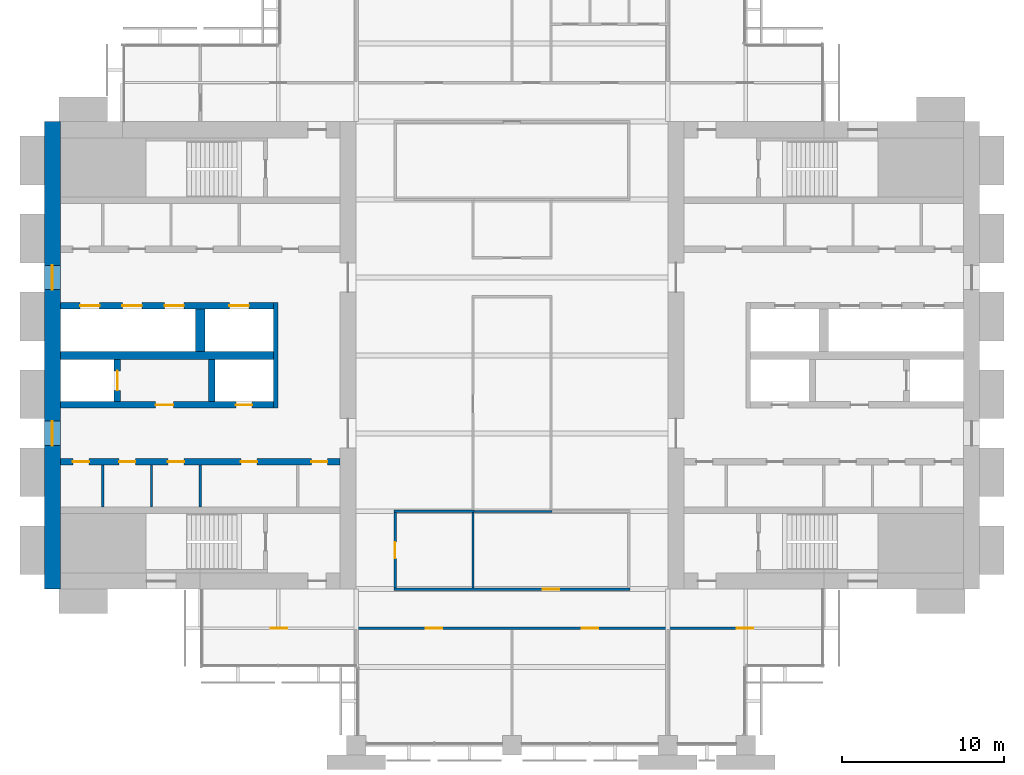
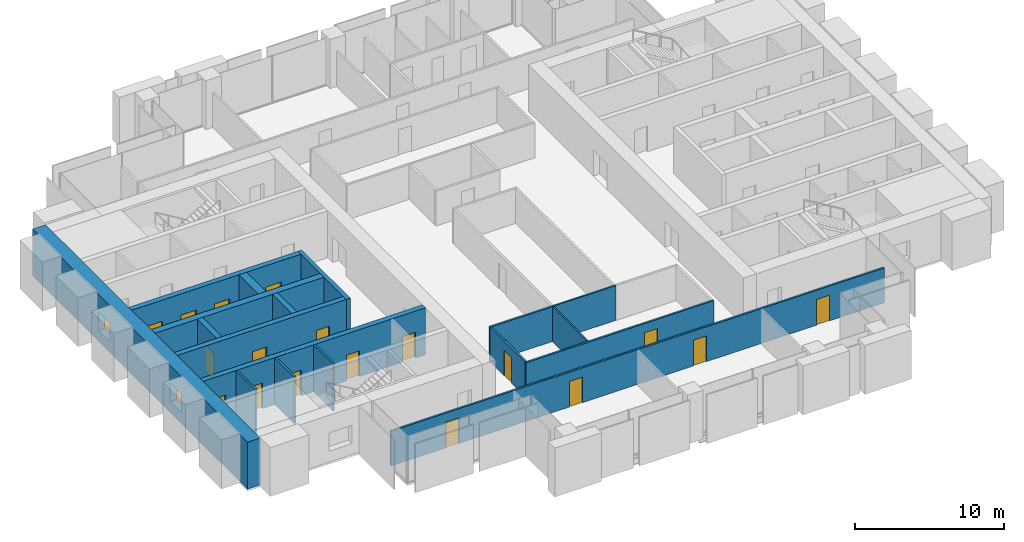
# One storey, part 9 of 14: 18 doors, 18 walls, 2 windows, 20 openings.
"""IFC4 building model written with IfcOpenShell, lengths in metres."""

from ifc_helpers import new_model, si_unit, direction, frame, frame_2d, origin, place, context, subcontext, project, spatial, rectangle, extrude, material, layer, layer_set, type_object, element, fill, save


model = new_model("IFC4")

# Units and contexts
model_context = context("Model", 3, precision=1e-05, world=origin(), true_north=direction((0.0, 1.0)))
body_context = subcontext(model_context, "Body", "Model", "MODEL_VIEW")
ifc_project = project(units=[si_unit("LENGTHUNIT", "METRE"), si_unit("AREAUNIT", "SQUARE_METRE"), si_unit("VOLUMEUNIT", "CUBIC_METRE"), si_unit("PLANEANGLEUNIT", "RADIAN"), si_unit("MASSUNIT", "GRAM", prefix="KILO")], contexts=[model_context])

# Site, building, storey
site_placement = place(None, origin())
site = spatial("IfcSite", under=ifc_project, at=site_placement, CompositionType="ELEMENT")
building_placement = place(site_placement, origin())
building = spatial("IfcBuilding", under=site, at=building_placement, Name="Baori Bourse Tower", CompositionType="ELEMENT")
storey_placement = place(building_placement, frame((0.0, 0.0, 160.10009765625)))
storey = spatial("IfcBuildingStorey", under=building, at=storey_placement, Name="L35", CompositionType="ELEMENT", Elevation=160.10009765625)

# Walls
ifc_material_1 = material(Name="Blockwork partition", Category="masonry")
ifc_layer_1 = layer(ifc_material_1, 0.14990234375)
ifc_layer_set_1 = layer_set([ifc_layer_1], Name="Core partition 150")
wall_type_1 = type_object("IfcWallType", Name="Core partition 150", PredefinedType="PARTITIONING", material=ifc_layer_set_1)
for number, where, z_axis, x_axis, name in (
    (1, (3.60009765625, 14.64990234375, 0.0), (0.0, 0.0, 1.0), (0.0, 1.0, 0.0), "Partition wall W10"),
    (2, (6.60009765625, 14.64990234375, 0.0), (0.0, 0.0, 1.0), (0.0, 1.0, 0.0), "Partition wall W11"),
    (3, (9.60009765625, 14.64990234375, 0.0), (0.0, 0.0, 1.0), (0.0, 1.0, 0.0), "Partition wall W12"),
):
    element("IfcWall", number, at=place(storey_placement, frame(where, z_axis=z_axis, x_axis=x_axis)), inside=storey, type_object=wall_type_1, Name=name, PredefinedType="PARTITIONING", context=body_context, shape_type="SweptSolid", body=[
        extrude(rectangle(XDim=2.60009765625, YDim=0.14990234375, at=frame_2d((1.300048828125, 0.0))), origin(), (0.0, 0.0, 1.0), 3.83984375),
    ])

# Wall, openings, windows
ifc_material_2 = material(Name="Concrete f'c 60 MPa", Category="concrete")
ifc_layer_2 = layer(ifc_material_2, 1.0)
ifc_layer_set_2 = layer_set([ifc_layer_2], Name="Core wall 1000 f'c 60")
wall_type_2 = type_object("IfcWallType", Name="Core wall 1000 f'c 60", PredefinedType="SHEAR", material=ifc_layer_set_2)
wall_1_placement = place(storey_placement, frame((0.5, 9.60009765625, 0.0), z_axis=(0.0, 0.0, 1.0), x_axis=(0.0, 1.0, 0.0)))
wall_1 = element("IfcWall", 4, at=wall_1_placement, inside=storey, type_object=wall_type_2, Name="Core wall W01", PredefinedType="SHEAR", context=body_context, shape_type="SweptSolid", body=[
    extrude(rectangle(XDim=28.7998046875, YDim=1.0, at=frame_2d((14.39990234375, 0.0))), origin(), (0.0, 0.0, 1.0), 3.83984375),
])
opening_1_placement = place(wall_1_placement, frame((8.85009765625, 0.0, 0.89990234375)))
opening_1 = element("IfcOpeningElement", 5, at=opening_1_placement, cuts=wall_1, Name="Opening L35-KW101", PredefinedType="OPENING", context=body_context, shape_type="SweptSolid", body=[
    extrude(rectangle(XDim=1.5, YDim=1.5, at=frame_2d((0.75, 0.75))), frame((0.0, 0.510009765625, 0.0), z_axis=(0.0, -1.0, 0.0), x_axis=(1.0, 0.0, 0.0)), (0.0, 0.0, 1.0), 1.02001953125),
])
opening_2_placement = place(wall_1_placement, frame((18.449951171875, 0.0, 0.89990234375)))
opening_2 = element("IfcOpeningElement", 6, at=opening_2_placement, cuts=wall_1, Name="Opening L35-KW102", PredefinedType="OPENING", context=body_context, shape_type="SweptSolid", body=[
    extrude(rectangle(XDim=1.5, YDim=1.5, at=frame_2d((0.75, 0.75))), frame((0.0, 0.510009765625, 0.0), z_axis=(0.0, -1.0, 0.0), x_axis=(1.0, 0.0, 0.0)), (0.0, 0.0, 1.0), 1.02001953125),
])
ifc_material_3 = material(Name="Pale anodised aluminium", Category="aluminium")
window_type = type_object("IfcWindowType", Name="Lobby window 1500 x 1500", PartitioningType="SINGLE_PANEL", PredefinedType="WINDOW", material=ifc_material_3)
window_1_placement = place(opening_1_placement, origin())
window_1 = element("IfcWindow", 7, at=window_1_placement, inside=storey, type_object=window_type, Name="Outer wall window W L35 1", OverallHeight=1.5, OverallWidth=1.5, PartitioningType="SINGLE_PANEL", PredefinedType="WINDOW", context=body_context, shape_type="SweptSolid", body=[
    extrude(rectangle(XDim=1.5, YDim=1.5, at=frame_2d((0.75, 0.75))), frame((0.0, 0.030029296875, 0.0), z_axis=(0.0, -1.0, 0.0), x_axis=(1.0, 0.0, 0.0)), (0.0, 0.0, 1.0), 0.06005859375),
])
fill(opening_1, window_1)
window_2_placement = place(opening_2_placement, origin())
window_2 = element("IfcWindow", 8, at=window_2_placement, inside=storey, type_object=window_type, Name="Outer wall window W L35 2", OverallHeight=1.5, OverallWidth=1.5, PartitioningType="SINGLE_PANEL", PredefinedType="WINDOW", context=body_context, shape_type="SweptSolid", body=[
    extrude(rectangle(XDim=1.5, YDim=1.5, at=frame_2d((0.75, 0.75))), frame((0.0, 0.030029296875, 0.0), z_axis=(0.0, -1.0, 0.0), x_axis=(1.0, 0.0, 0.0)), (0.0, 0.0, 1.0), 0.06005859375),
])
fill(opening_2, window_2)

# Wall, openings, doors
ifc_material_4 = material(Name="Gypsum board partition")
ifc_layer_3 = layer(ifc_material_4, 0.14990234375)
ifc_layer_set_3 = layer_set([ifc_layer_3], Name="Corridor partition 150")
wall_type_3 = type_object("IfcWallType", Name="Corridor partition 150", PredefinedType="PARTITIONING", material=ifc_layer_set_3)
wall_2_placement = place(storey_placement, frame((9.699951171875, 7.199951171875, 0.0), z_axis=(0.0, 0.0, 1.0), x_axis=(1.0, 0.0, 0.0)))
wall_2 = element("IfcWall", 9, at=wall_2_placement, inside=storey, type_object=wall_type_3, Name="Partition", PredefinedType="PARTITIONING", context=body_context, shape_type="SweptSolid", body=[
    extrude(rectangle(XDim=38.199951171875, YDim=0.14990234375, at=frame_2d((19.10009765625, 0.0))), origin(), (0.0, 0.0, 1.0), 2.849365234375),
])
opening_3_placement = place(wall_2_placement, frame((4.25, 0.0, 0.0)))
opening_3 = element("IfcOpeningElement", 10, at=opening_3_placement, cuts=wall_2, Name="Opening L35-D01", PredefinedType="OPENING", context=body_context, shape_type="SweptSolid", body=[
    extrude(rectangle(XDim=1.0, YDim=2.10009765625, at=frame_2d((0.5, 1.050048828125))), frame((0.0, 0.0849609375, 0.0), z_axis=(0.0, -1.0, 0.0), x_axis=(1.0, 0.0, 0.0)), (0.0, 0.0, 1.0), 0.169921875),
])
opening_4_placement = place(wall_2_placement, frame((13.800048828125, 0.0, 0.0)))
opening_4 = element("IfcOpeningElement", 11, at=opening_4_placement, cuts=wall_2, Name="Opening L35-D02", PredefinedType="OPENING", context=body_context, shape_type="SweptSolid", body=[
    extrude(rectangle(XDim=1.0, YDim=2.10009765625, at=frame_2d((0.5, 1.050048828125))), frame((0.0, 0.0849609375, 0.0), z_axis=(0.0, -1.0, 0.0), x_axis=(1.0, 0.0, 0.0)), (0.0, 0.0, 1.0), 0.169921875),
])
opening_5_placement = place(wall_2_placement, frame((23.39990234375, 0.0, 0.0)))
opening_5 = element("IfcOpeningElement", 12, at=opening_5_placement, cuts=wall_2, Name="Opening L35-D03", PredefinedType="OPENING", context=body_context, shape_type="SweptSolid", body=[
    extrude(rectangle(XDim=1.0, YDim=2.10009765625, at=frame_2d((0.5, 1.050048828125))), frame((0.0, 0.0849609375, 0.0), z_axis=(0.0, -1.0, 0.0), x_axis=(1.0, 0.0, 0.0)), (0.0, 0.0, 1.0), 0.169921875),
])
opening_6_placement = place(wall_2_placement, frame((32.949951171875, 0.0, 0.0)))
opening_6 = element("IfcOpeningElement", 13, at=opening_6_placement, cuts=wall_2, Name="Opening L35-D04", PredefinedType="OPENING", context=body_context, shape_type="SweptSolid", body=[
    extrude(rectangle(XDim=1.0, YDim=2.10009765625, at=frame_2d((0.5, 1.050048828125))), frame((0.0, 0.0849609375, 0.0), z_axis=(0.0, -1.0, 0.0), x_axis=(1.0, 0.0, 0.0)), (0.0, 0.0, 1.0), 0.169921875),
])
ifc_material_5 = material(Name="Timber door leaf", Category="wood")
door_type_1 = type_object("IfcDoorType", Name="Door 1000 x 2100", OperationType="SINGLE_SWING_LEFT", PredefinedType="DOOR", material=ifc_material_5)
door_1_placement = place(opening_3_placement, origin())
door_1 = element("IfcDoor", 14, at=door_1_placement, inside=storey, type_object=door_type_1, Name="Door", OperationType="SINGLE_SWING_LEFT", OverallHeight=2.10009765625, OverallWidth=1.0, PredefinedType="DOOR", context=body_context, shape_type="SweptSolid", body=[
    extrude(rectangle(XDim=1.0, YDim=2.10009765625, at=frame_2d((0.5, 1.050048828125))), frame((0.0, 0.02490234375, 0.0), z_axis=(0.0, -1.0, 0.0), x_axis=(1.0, 0.0, 0.0)), (0.0, 0.0, 1.0), 0.050048828125),
])
fill(opening_3, door_1)
door_2_placement = place(opening_4_placement, origin())
door_2 = element("IfcDoor", 15, at=door_2_placement, inside=storey, type_object=door_type_1, Name="Door", OperationType="SINGLE_SWING_LEFT", OverallHeight=2.10009765625, OverallWidth=1.0, PredefinedType="DOOR", context=body_context, shape_type="SweptSolid", body=[
    extrude(rectangle(XDim=1.0, YDim=2.10009765625, at=frame_2d((0.5, 1.050048828125))), frame((0.0, 0.02490234375, 0.0), z_axis=(0.0, -1.0, 0.0), x_axis=(1.0, 0.0, 0.0)), (0.0, 0.0, 1.0), 0.050048828125),
])
fill(opening_4, door_2)
door_3_placement = place(opening_5_placement, origin())
door_3 = element("IfcDoor", 16, at=door_3_placement, inside=storey, type_object=door_type_1, Name="Door", OperationType="SINGLE_SWING_RIGHT", OverallHeight=2.10009765625, OverallWidth=1.0, PredefinedType="DOOR", context=body_context, shape_type="SweptSolid", body=[
    extrude(rectangle(XDim=1.0, YDim=2.10009765625, at=frame_2d((0.5, 1.050048828125))), frame((0.0, 0.02490234375, 0.0), z_axis=(0.0, -1.0, 0.0), x_axis=(1.0, 0.0, 0.0)), (0.0, 0.0, 1.0), 0.050048828125),
])
fill(opening_5, door_3)
door_4_placement = place(opening_6_placement, origin())
door_4 = element("IfcDoor", 17, at=door_4_placement, inside=storey, type_object=door_type_1, Name="Door", OperationType="SINGLE_SWING_RIGHT", OverallHeight=2.10009765625, OverallWidth=1.0, PredefinedType="DOOR", context=body_context, shape_type="SweptSolid", body=[
    extrude(rectangle(XDim=1.0, YDim=2.10009765625, at=frame_2d((0.5, 1.050048828125))), frame((0.0, 0.02490234375, 0.0), z_axis=(0.0, -1.0, 0.0), x_axis=(1.0, 0.0, 0.0)), (0.0, 0.0, 1.0), 0.050048828125),
])
fill(opening_6, door_4)

# Wall, opening, door
wall_3_placement = place(storey_placement, frame((21.52490234375, 9.60009765625, 0.0), z_axis=(0.0, 0.0, 1.0), x_axis=(1.0, 0.0, 0.0)))
wall_3 = element("IfcWall", 18, at=wall_3_placement, inside=storey, type_object=wall_type_3, Name="Partition", PredefinedType="PARTITIONING", context=body_context, shape_type="SweptSolid", body=[
    extrude(rectangle(XDim=14.550048828125, YDim=0.14990234375, at=frame_2d((7.27490234375, 0.0))), origin(), (0.0, 0.0, 1.0), 2.849365234375),
])
opening_7_placement = place(wall_3_placement, frame((9.175048828125, 0.0, 0.0)))
opening_7 = element("IfcOpeningElement", 19, at=opening_7_placement, cuts=wall_3, Name="Opening L35-D05", PredefinedType="OPENING", context=body_context, shape_type="SweptSolid", body=[
    extrude(rectangle(XDim=1.0, YDim=2.10009765625, at=frame_2d((0.5, 1.050048828125))), frame((0.0, 0.0849609375, 0.0), z_axis=(0.0, -1.0, 0.0), x_axis=(1.0, 0.0, 0.0)), (0.0, 0.0, 1.0), 0.169921875),
])
door_5_placement = place(opening_7_placement, origin())
door_5 = element("IfcDoor", 20, at=door_5_placement, inside=storey, type_object=door_type_1, Name="Door", OperationType="SINGLE_SWING_LEFT", OverallHeight=2.10009765625, OverallWidth=1.0, PredefinedType="DOOR", context=body_context, shape_type="SweptSolid", body=[
    extrude(rectangle(XDim=1.0, YDim=2.10009765625, at=frame_2d((0.5, 1.050048828125))), frame((0.0, 0.02490234375, 0.0), z_axis=(0.0, -1.0, 0.0), x_axis=(1.0, 0.0, 0.0)), (0.0, 0.0, 1.0), 0.050048828125),
])
fill(opening_7, door_5)

# Wall
wall_4_placement = place(storey_placement, frame((21.52490234375, 14.39990234375, 0.0), z_axis=(0.0, 0.0, 1.0), x_axis=(1.0, 0.0, 0.0)))
element("IfcWall", 21, at=wall_4_placement, inside=storey, type_object=wall_type_3, Name="Partition", PredefinedType="PARTITIONING", context=body_context, shape_type="SweptSolid", body=[
    extrude(rectangle(XDim=4.9501953125, YDim=0.14990234375, at=frame_2d((2.47509765625, 0.0))), origin(), (0.0, 0.0, 1.0), 2.849365234375),
])

# Wall, opening, door
wall_5_placement = place(storey_placement, frame((21.60009765625, 9.675048828125, 0.0), z_axis=(0.0, 0.0, 1.0), x_axis=(0.0, 1.0, 0.0)))
wall_5 = element("IfcWall", 22, at=wall_5_placement, inside=storey, type_object=wall_type_3, Name="Partition", PredefinedType="PARTITIONING", context=body_context, shape_type="SweptSolid", body=[
    extrude(rectangle(XDim=4.64990234375, YDim=0.14990234375, at=frame_2d((2.324951171875, 0.0))), origin(), (0.0, 0.0, 1.0), 2.849365234375),
])
opening_8_placement = place(wall_5_placement, frame((1.824951171875, 0.0, 0.0)))
opening_8 = element("IfcOpeningElement", 23, at=opening_8_placement, cuts=wall_5, Name="Opening L35-D17", PredefinedType="OPENING", context=body_context, shape_type="SweptSolid", body=[
    extrude(rectangle(XDim=1.0, YDim=2.10009765625, at=frame_2d((0.5, 1.050048828125))), frame((0.0, 0.0849609375, 0.0), z_axis=(0.0, -1.0, 0.0), x_axis=(1.0, 0.0, 0.0)), (0.0, 0.0, 1.0), 0.169921875),
])
door_6_placement = place(opening_8_placement, origin())
door_6 = element("IfcDoor", 24, at=door_6_placement, inside=storey, type_object=door_type_1, Name="Door", OperationType="SINGLE_SWING_LEFT", OverallHeight=2.10009765625, OverallWidth=1.0, PredefinedType="DOOR", context=body_context, shape_type="SweptSolid", body=[
    extrude(rectangle(XDim=1.0, YDim=2.10009765625, at=frame_2d((0.5, 1.050048828125))), frame((0.0, 0.02490234375, 0.0), z_axis=(0.0, -1.0, 0.0), x_axis=(1.0, 0.0, 0.0)), (0.0, 0.0, 1.0), 0.050048828125),
])
fill(opening_8, door_6)

# Walls
ifc_material_6 = material(Name="Gypsum board partition")
ifc_layer_4 = layer(ifc_material_6, 0.125)
ifc_layer_set_4 = layer_set([ifc_layer_4], Name="Partition 125")
wall_type_4 = type_object("IfcWallType", Name="Partition 125", PredefinedType="PARTITIONING", material=ifc_layer_set_4)
wall_6_placement = place(storey_placement, frame((26.47509765625, 14.39990234375, 0.0), z_axis=(0.0, 0.0, 1.0), x_axis=(1.0, 0.0, 0.0)))
element("IfcWall", 25, at=wall_6_placement, inside=storey, type_object=wall_type_4, Name="Partition", PredefinedType="PARTITIONING", context=body_context, shape_type="SweptSolid", body=[
    extrude(rectangle(XDim=4.7998046875, YDim=0.125, at=frame_2d((2.39990234375, 0.0))), origin(), (0.0, 0.0, 1.0), 2.849365234375),
])
wall_7_placement = place(storey_placement, frame((26.39990234375, 9.675048828125, 0.0), z_axis=(0.0, 0.0, 1.0), x_axis=(0.0, 1.0, 0.0)))
element("IfcWall", 26, at=wall_7_placement, inside=storey, type_object=wall_type_4, Name="Partition", PredefinedType="PARTITIONING", context=body_context, shape_type="SweptSolid", body=[
    extrude(rectangle(XDim=4.64990234375, YDim=0.125, at=frame_2d((2.324951171875, 0.0))), origin(), (0.0, 0.0, 1.0), 2.849365234375),
])
ifc_material_7 = material(Name="Concrete f'c 60 MPa", Category="concrete")
ifc_layer_5 = layer(ifc_material_7, 0.300048828125)
ifc_layer_set_5 = layer_set([ifc_layer_5], Name="Shaft wall 300 f'c 60")
wall_type_5 = type_object("IfcWallType", Name="Shaft wall 300 f'c 60", PredefinedType="SHEAR", material=ifc_layer_set_5)
wall_8_placement = place(storey_placement, frame((14.25, 20.75, 0.0), z_axis=(0.0, 0.0, 1.0), x_axis=(0.0, 1.0, 0.0)))
element("IfcWall", 27, at=wall_8_placement, inside=storey, type_object=wall_type_5, Name="Core wall W16", PredefinedType="SHEAR", context=body_context, shape_type="SweptSolid", body=[
    extrude(rectangle(XDim=6.5, YDim=0.300048828125, at=frame_2d((3.25, 0.0))), origin(), (0.0, 0.0, 1.0), 3.83984375),
])

# Wall, openings, doors
ifc_material_8 = material(Name="Concrete f'c 60 MPa", Category="concrete")
ifc_layer_6 = layer(ifc_material_8, 0.39990234375)
ifc_layer_set_6 = layer_set([ifc_layer_6], Name="Shaft wall 400 f'c 60")
wall_type_6 = type_object("IfcWallType", Name="Shaft wall 400 f'c 60", PredefinedType="SHEAR", material=ifc_layer_set_6)
wall_9_placement = place(storey_placement, frame((1.0, 17.449951171875, 0.0), z_axis=(0.0, 0.0, 1.0), x_axis=(1.0, 0.0, 0.0)))
wall_9 = element("IfcWall", 28, at=wall_9_placement, inside=storey, type_object=wall_type_6, Name="Core wall W14", PredefinedType="SHEAR", context=body_context, shape_type="SweptSolid", body=[
    extrude(rectangle(XDim=17.199951171875, YDim=0.39990234375, at=frame_2d((8.60009765625, 0.0))), origin(), (0.0, 0.0, 1.0), 3.83984375),
])
opening_9_placement = place(wall_9_placement, frame((0.762451171875, 0.0, 0.0)))
opening_9 = element("IfcOpeningElement", 29, at=opening_9_placement, cuts=wall_9, Name="Opening L35-D113", PredefinedType="OPENING", context=body_context, shape_type="SweptSolid", body=[
    extrude(rectangle(XDim=1.0, YDim=2.10009765625, at=frame_2d((0.5, 1.050048828125))), frame((0.0, 0.2099609375, 0.0), z_axis=(0.0, -1.0, 0.0), x_axis=(1.0, 0.0, 0.0)), (0.0, 0.0, 1.0), 0.419921875),
])
opening_10_placement = place(wall_9_placement, frame((3.60009765625, 0.0, 0.0)))
opening_10 = element("IfcOpeningElement", 30, at=opening_10_placement, cuts=wall_9, Name="Opening L35-D114", PredefinedType="OPENING", context=body_context, shape_type="SweptSolid", body=[
    extrude(rectangle(XDim=1.0, YDim=2.10009765625, at=frame_2d((0.5, 1.050048828125))), frame((0.0, 0.2099609375, 0.0), z_axis=(0.0, -1.0, 0.0), x_axis=(1.0, 0.0, 0.0)), (0.0, 0.0, 1.0), 0.419921875),
])
opening_11_placement = place(wall_9_placement, frame((6.60009765625, 0.0, 0.0)))
opening_11 = element("IfcOpeningElement", 31, at=opening_11_placement, cuts=wall_9, Name="Opening L35-D115", PredefinedType="OPENING", context=body_context, shape_type="SweptSolid", body=[
    extrude(rectangle(XDim=1.0, YDim=2.10009765625, at=frame_2d((0.5, 1.050048828125))), frame((0.0, 0.2099609375, 0.0), z_axis=(0.0, -1.0, 0.0), x_axis=(1.0, 0.0, 0.0)), (0.0, 0.0, 1.0), 0.419921875),
])
opening_12_placement = place(wall_9_placement, frame((11.10009765625, 0.0, 0.0)))
opening_12 = element("IfcOpeningElement", 32, at=opening_12_placement, cuts=wall_9, Name="Opening L35-D116", PredefinedType="OPENING", context=body_context, shape_type="SweptSolid", body=[
    extrude(rectangle(XDim=1.0, YDim=2.10009765625, at=frame_2d((0.5, 1.050048828125))), frame((0.0, 0.2099609375, 0.0), z_axis=(0.0, -1.0, 0.0), x_axis=(1.0, 0.0, 0.0)), (0.0, 0.0, 1.0), 0.419921875),
])
opening_13_placement = place(wall_9_placement, frame((15.4375, 0.0, 0.0)))
opening_13 = element("IfcOpeningElement", 33, at=opening_13_placement, cuts=wall_9, Name="Opening L35-D117", PredefinedType="OPENING", context=body_context, shape_type="SweptSolid", body=[
    extrude(rectangle(XDim=1.0, YDim=2.10009765625, at=frame_2d((0.5, 1.050048828125))), frame((0.0, 0.2099609375, 0.0), z_axis=(0.0, -1.0, 0.0), x_axis=(1.0, 0.0, 0.0)), (0.0, 0.0, 1.0), 0.419921875),
])
ifc_material_9 = material(Name="Painted steel door", Category="steel")
door_type_2 = type_object("IfcDoorType", Name="Core door 1000", OperationType="SINGLE_SWING_LEFT", PredefinedType="DOOR", material=ifc_material_9)
door_7_placement = place(opening_10_placement, origin())
door_7 = element("IfcDoor", 34, at=door_7_placement, inside=storey, type_object=door_type_2, Name="Women'S Wc door W L35", OperationType="SINGLE_SWING_LEFT", OverallHeight=2.10009765625, OverallWidth=1.0, PredefinedType="DOOR", context=body_context, shape_type="SweptSolid", body=[
    extrude(rectangle(XDim=1.0, YDim=2.10009765625, at=frame_2d((0.5, 1.050048828125))), frame((0.0, 0.02490234375, 0.0), z_axis=(0.0, -1.0, 0.0), x_axis=(1.0, 0.0, 0.0)), (0.0, 0.0, 1.0), 0.050048828125),
])
fill(opening_10, door_7)
door_8_placement = place(opening_11_placement, origin())
door_8 = element("IfcDoor", 35, at=door_8_placement, inside=storey, type_object=door_type_2, Name="Accessible Wc door W L35", OperationType="SINGLE_SWING_LEFT", OverallHeight=2.10009765625, OverallWidth=1.0, PredefinedType="DOOR", context=body_context, shape_type="SweptSolid", body=[
    extrude(rectangle(XDim=1.0, YDim=2.10009765625, at=frame_2d((0.5, 1.050048828125))), frame((0.0, 0.02490234375, 0.0), z_axis=(0.0, -1.0, 0.0), x_axis=(1.0, 0.0, 0.0)), (0.0, 0.0, 1.0), 0.050048828125),
])
fill(opening_11, door_8)
door_9_placement = place(opening_12_placement, origin())
door_9 = element("IfcDoor", 36, at=door_9_placement, inside=storey, type_object=door_type_2, Name="Men'S Wc door W L35", OperationType="SINGLE_SWING_LEFT", OverallHeight=2.10009765625, OverallWidth=1.0, PredefinedType="DOOR", context=body_context, shape_type="SweptSolid", body=[
    extrude(rectangle(XDim=1.0, YDim=2.10009765625, at=frame_2d((0.5, 1.050048828125))), frame((0.0, 0.02490234375, 0.0), z_axis=(0.0, -1.0, 0.0), x_axis=(1.0, 0.0, 0.0)), (0.0, 0.0, 1.0), 0.050048828125),
])
fill(opening_12, door_9)
door_10_placement = place(opening_13_placement, origin())
door_10 = element("IfcDoor", 37, at=door_10_placement, inside=storey, type_object=door_type_2, Name="Store Room door W L35", OperationType="SINGLE_SWING_LEFT", OverallHeight=2.10009765625, OverallWidth=1.0, PredefinedType="DOOR", context=body_context, shape_type="SweptSolid", body=[
    extrude(rectangle(XDim=1.0, YDim=2.10009765625, at=frame_2d((0.5, 1.050048828125))), frame((0.0, 0.02490234375, 0.0), z_axis=(0.0, -1.0, 0.0), x_axis=(1.0, 0.0, 0.0)), (0.0, 0.0, 1.0), 0.050048828125),
])
fill(opening_13, door_10)
ifc_material_10 = material(Name="Painted steel door", Category="steel")
door_type_3 = type_object("IfcDoorType", Name="Plant room door 1000", OperationType="SINGLE_SWING_LEFT", PredefinedType="DOOR", material=ifc_material_10)
door_11_placement = place(opening_9_placement, origin())
door_11 = element("IfcDoor", 38, at=door_11_placement, inside=storey, type_object=door_type_3, Name="Communications Room door W L35", OperationType="SINGLE_SWING_LEFT", OverallHeight=2.10009765625, OverallWidth=1.0, PredefinedType="DOOR", context=body_context, shape_type="SweptSolid", body=[
    extrude(rectangle(XDim=1.0, YDim=2.10009765625, at=frame_2d((0.5, 1.050048828125))), frame((0.0, 0.02490234375, 0.0), z_axis=(0.0, -1.0, 0.0), x_axis=(1.0, 0.0, 0.0)), (0.0, 0.0, 1.0), 0.050048828125),
])
fill(opening_9, door_11)

wall_10_placement = place(storey_placement, frame((1.0, 20.949951171875, 0.0), z_axis=(0.0, 0.0, 1.0), x_axis=(1.0, 0.0, 0.0)))
wall_10 = element("IfcWall", 39, at=wall_10_placement, inside=storey, type_object=wall_type_6, Name="Core wall W15", PredefinedType="SHEAR", context=body_context, shape_type="SweptSolid", body=[
    extrude(rectangle(XDim=13.10009765625, YDim=0.39990234375, at=frame_2d((6.550048828125, 0.0))), origin(), (0.0, 0.0, 1.0), 3.83984375),
])
opening_14_placement = place(wall_10_placement, frame((5.85009765625, 0.0, 0.0)))
opening_14 = element("IfcOpeningElement", 40, at=opening_14_placement, cuts=wall_10, Name="Opening L35-D105", PredefinedType="OPENING", context=body_context, shape_type="SweptSolid", body=[
    extrude(rectangle(XDim=1.10009765625, YDim=2.10009765625, at=frame_2d((0.550048828125, 1.050048828125))), frame((0.0, 0.2099609375, 0.0), z_axis=(0.0, -1.0, 0.0), x_axis=(1.0, 0.0, 0.0)), (0.0, 0.0, 1.0), 0.419921875),
])
opening_15_placement = place(wall_10_placement, frame((10.800048828125, 0.0, 0.0)))
opening_15 = element("IfcOpeningElement", 41, at=opening_15_placement, cuts=wall_10, Name="Opening L35-D106", PredefinedType="OPENING", context=body_context, shape_type="SweptSolid", body=[
    extrude(rectangle(XDim=1.0, YDim=2.10009765625, at=frame_2d((0.5, 1.050048828125))), frame((0.0, 0.2099609375, 0.0), z_axis=(0.0, -1.0, 0.0), x_axis=(1.0, 0.0, 0.0)), (0.0, 0.0, 1.0), 0.419921875),
])
ifc_material_11 = material(Name="Painted steel door", Category="steel")
door_type_4 = type_object("IfcDoorType", Name="Lobby door 1100", OperationType="SINGLE_SWING_LEFT", PredefinedType="DOOR", material=ifc_material_11)
door_12_placement = place(opening_14_placement, origin())
door_12 = element("IfcDoor", 42, at=door_12_placement, inside=storey, type_object=door_type_4, Name="Firefighting lobby door W L35", OperationType="SINGLE_SWING_LEFT", OverallHeight=2.10009765625, OverallWidth=1.10009765625, PredefinedType="DOOR", context=body_context, shape_type="SweptSolid", body=[
    extrude(rectangle(XDim=1.10009765625, YDim=2.10009765625, at=frame_2d((0.550048828125, 1.050048828125))), frame((0.0, 0.02490234375, 0.0), z_axis=(0.0, -1.0, 0.0), x_axis=(1.0, 0.0, 0.0)), (0.0, 0.0, 1.0), 0.050048828125),
])
fill(opening_14, door_12)
ifc_material_12 = material(Name="Painted steel door", Category="steel")
door_type_5 = type_object("IfcDoorType", Name="Shaft door 1000", OperationType="SINGLE_SWING_LEFT", PredefinedType="DOOR", material=ifc_material_12)
door_13_placement = place(opening_15_placement, origin())
door_13 = element("IfcDoor", 43, at=door_13_placement, inside=storey, type_object=door_type_5, Name="Riser room door W L35", OperationType="SINGLE_SWING_LEFT", OverallHeight=2.10009765625, OverallWidth=1.0, PredefinedType="DOOR", context=body_context, shape_type="SweptSolid", body=[
    extrude(rectangle(XDim=1.0, YDim=2.10009765625, at=frame_2d((0.5, 1.050048828125))), frame((0.0, 0.02490234375, 0.0), z_axis=(0.0, -1.0, 0.0), x_axis=(1.0, 0.0, 0.0)), (0.0, 0.0, 1.0), 0.050048828125),
])
fill(opening_15, door_13)

# Wall, opening, door
wall_11_placement = place(storey_placement, frame((4.5, 21.14990234375, 0.0), z_axis=(0.0, 0.0, 1.0), x_axis=(0.0, 1.0, 0.0)))
wall_11 = element("IfcWall", 44, at=wall_11_placement, inside=storey, type_object=wall_type_6, Name="Core wall W17", PredefinedType="SHEAR", context=body_context, shape_type="SweptSolid", body=[
    extrude(rectangle(XDim=2.60009765625, YDim=0.39990234375, at=frame_2d((1.300048828125, 0.0))), origin(), (0.0, 0.0, 1.0), 3.83984375),
])
opening_16_placement = place(wall_11_placement, frame((0.699951171875, 0.0, 0.0)))
opening_16 = element("IfcOpeningElement", 45, at=opening_16_placement, cuts=wall_11, Name="Opening L35-D122", PredefinedType="OPENING", context=body_context, shape_type="SweptSolid", body=[
    extrude(rectangle(XDim=1.199951171875, YDim=2.10009765625, at=frame_2d((0.60009765625, 1.050048828125))), frame((0.0, 0.2099609375, 0.0), z_axis=(0.0, -1.0, 0.0), x_axis=(1.0, 0.0, 0.0)), (0.0, 0.0, 1.0), 0.419921875),
])
ifc_material_13 = material(Name="Stainless steel door", Category="steel")
door_type_6 = type_object("IfcDoorType", Name="Lift landing door", OperationType="DOUBLE_DOOR_SLIDING", PredefinedType="DOOR", material=ifc_material_13)
door_14_placement = place(opening_16_placement, origin())
door_14 = element("IfcDoor", 46, at=door_14_placement, inside=storey, type_object=door_type_6, Name="Lift landing door FF1 W L35", OperationType="DOUBLE_DOOR_SLIDING", OverallHeight=2.10009765625, OverallWidth=1.199951171875, PredefinedType="DOOR", context=body_context, shape_type="SweptSolid", body=[
    extrude(rectangle(XDim=1.199951171875, YDim=2.10009765625, at=frame_2d((0.60009765625, 1.050048828125))), frame((0.0, 0.02490234375, 0.0), z_axis=(0.0, -1.0, 0.0), x_axis=(1.0, 0.0, 0.0)), (0.0, 0.0, 1.0), 0.050048828125),
])
fill(opening_16, door_14)

# Wall
wall_12_placement = place(storey_placement, frame((10.300048828125, 21.14990234375, 0.0), z_axis=(0.0, 0.0, 1.0), x_axis=(0.0, 1.0, 0.0)))
element("IfcWall", 47, at=wall_12_placement, inside=storey, type_object=wall_type_6, Name="Core wall W18", PredefinedType="SHEAR", context=body_context, shape_type="SweptSolid", body=[
    extrude(rectangle(XDim=2.60009765625, YDim=0.39990234375, at=frame_2d((1.300048828125, 0.0))), origin(), (0.0, 0.0, 1.0), 3.83984375),
])

# Wall, openings, doors
wall_13_placement = place(storey_placement, frame((1.0, 27.050048828125, 0.0), z_axis=(0.0, 0.0, 1.0), x_axis=(1.0, 0.0, 0.0)))
wall_13 = element("IfcWall", 48, at=wall_13_placement, inside=storey, type_object=wall_type_6, Name="Core wall W21", PredefinedType="SHEAR", context=body_context, shape_type="SweptSolid", body=[
    extrude(rectangle(XDim=13.10009765625, YDim=0.39990234375, at=frame_2d((6.550048828125, 0.0))), origin(), (0.0, 0.0, 1.0), 3.83984375),
])
opening_17_placement = place(wall_13_placement, frame((1.199951171875, 0.0, 0.0)))
opening_17 = element("IfcOpeningElement", 49, at=opening_17_placement, cuts=wall_13, Name="Opening L35-D118", PredefinedType="OPENING", context=body_context, shape_type="SweptSolid", body=[
    extrude(rectangle(XDim=1.199951171875, YDim=2.10009765625, at=frame_2d((0.60009765625, 1.050048828125))), frame((0.0, 0.2099609375, 0.0), z_axis=(0.0, -1.0, 0.0), x_axis=(1.0, 0.0, 0.0)), (0.0, 0.0, 1.0), 0.419921875),
])
opening_18_placement = place(wall_13_placement, frame((3.800048828125, 0.0, 0.0)))
opening_18 = element("IfcOpeningElement", 50, at=opening_18_placement, cuts=wall_13, Name="Opening L35-D119", PredefinedType="OPENING", context=body_context, shape_type="SweptSolid", body=[
    extrude(rectangle(XDim=1.199951171875, YDim=2.10009765625, at=frame_2d((0.60009765625, 1.050048828125))), frame((0.0, 0.2099609375, 0.0), z_axis=(0.0, -1.0, 0.0), x_axis=(1.0, 0.0, 0.0)), (0.0, 0.0, 1.0), 0.419921875),
])
opening_19_placement = place(wall_13_placement, frame((6.39990234375, 0.0, 0.0)))
opening_19 = element("IfcOpeningElement", 51, at=opening_19_placement, cuts=wall_13, Name="Opening L35-D120", PredefinedType="OPENING", context=body_context, shape_type="SweptSolid", body=[
    extrude(rectangle(XDim=1.199951171875, YDim=2.10009765625, at=frame_2d((0.60009765625, 1.050048828125))), frame((0.0, 0.2099609375, 0.0), z_axis=(0.0, -1.0, 0.0), x_axis=(1.0, 0.0, 0.0)), (0.0, 0.0, 1.0), 0.419921875),
])
opening_20_placement = place(wall_13_placement, frame((10.39990234375, 0.0, 0.0)))
opening_20 = element("IfcOpeningElement", 52, at=opening_20_placement, cuts=wall_13, Name="Opening L35-D121", PredefinedType="OPENING", context=body_context, shape_type="SweptSolid", body=[
    extrude(rectangle(XDim=1.199951171875, YDim=2.10009765625, at=frame_2d((0.60009765625, 1.050048828125))), frame((0.0, 0.2099609375, 0.0), z_axis=(0.0, -1.0, 0.0), x_axis=(1.0, 0.0, 0.0)), (0.0, 0.0, 1.0), 0.419921875),
])
door_15_placement = place(opening_17_placement, origin())
door_15 = element("IfcDoor", 53, at=door_15_placement, inside=storey, type_object=door_type_6, Name="Lift landing door SH1 W L35", OperationType="DOUBLE_DOOR_SLIDING", OverallHeight=2.10009765625, OverallWidth=1.199951171875, PredefinedType="DOOR", context=body_context, shape_type="SweptSolid", body=[
    extrude(rectangle(XDim=1.199951171875, YDim=2.10009765625, at=frame_2d((0.60009765625, 1.050048828125))), frame((0.0, 0.02490234375, 0.0), z_axis=(0.0, -1.0, 0.0), x_axis=(1.0, 0.0, 0.0)), (0.0, 0.0, 1.0), 0.050048828125),
])
fill(opening_17, door_15)
door_16_placement = place(opening_18_placement, origin())
door_16 = element("IfcDoor", 54, at=door_16_placement, inside=storey, type_object=door_type_6, Name="Lift landing door SH2 W L35", OperationType="DOUBLE_DOOR_SLIDING", OverallHeight=2.10009765625, OverallWidth=1.199951171875, PredefinedType="DOOR", context=body_context, shape_type="SweptSolid", body=[
    extrude(rectangle(XDim=1.199951171875, YDim=2.10009765625, at=frame_2d((0.60009765625, 1.050048828125))), frame((0.0, 0.02490234375, 0.0), z_axis=(0.0, -1.0, 0.0), x_axis=(1.0, 0.0, 0.0)), (0.0, 0.0, 1.0), 0.050048828125),
])
fill(opening_18, door_16)
door_17_placement = place(opening_19_placement, origin())
door_17 = element("IfcDoor", 55, at=door_17_placement, inside=storey, type_object=door_type_6, Name="Lift landing door SH3 W L35", OperationType="DOUBLE_DOOR_SLIDING", OverallHeight=2.10009765625, OverallWidth=1.199951171875, PredefinedType="DOOR", context=body_context, shape_type="SweptSolid", body=[
    extrude(rectangle(XDim=1.199951171875, YDim=2.10009765625, at=frame_2d((0.60009765625, 1.050048828125))), frame((0.0, 0.02490234375, 0.0), z_axis=(0.0, -1.0, 0.0), x_axis=(1.0, 0.0, 0.0)), (0.0, 0.0, 1.0), 0.050048828125),
])
fill(opening_19, door_17)
door_18_placement = place(opening_20_placement, origin())
door_18 = element("IfcDoor", 56, at=door_18_placement, inside=storey, type_object=door_type_6, Name="Lift landing door SV1 W L35", OperationType="DOUBLE_DOOR_SLIDING", OverallHeight=2.10009765625, OverallWidth=1.199951171875, PredefinedType="DOOR", context=body_context, shape_type="SweptSolid", body=[
    extrude(rectangle(XDim=1.199951171875, YDim=2.10009765625, at=frame_2d((0.60009765625, 1.050048828125))), frame((0.0, 0.02490234375, 0.0), z_axis=(0.0, -1.0, 0.0), x_axis=(1.0, 0.0, 0.0)), (0.0, 0.0, 1.0), 0.050048828125),
])
fill(opening_20, door_18)

# Walls
ifc_material_14 = material(Name="Concrete f'c 60 MPa", Category="concrete")
ifc_layer_7 = layer(ifc_material_14, 0.5)
ifc_layer_set_7 = layer_set([ifc_layer_7], Name="Shaft wall 500 f'c 60")
wall_type_7 = type_object("IfcWallType", Name="Shaft wall 500 f'c 60", PredefinedType="SHEAR", material=ifc_layer_set_7)
wall_14_placement = place(storey_placement, frame((1.0, 24.0, 0.0), z_axis=(0.0, 0.0, 1.0), x_axis=(1.0, 0.0, 0.0)))
element("IfcWall", 57, at=wall_14_placement, inside=storey, type_object=wall_type_7, Name="Core wall W19", PredefinedType="SHEAR", context=body_context, shape_type="SweptSolid", body=[
    extrude(rectangle(XDim=13.10009765625, YDim=0.5, at=frame_2d((6.550048828125, 0.0))), origin(), (0.0, 0.0, 1.0), 3.83984375),
])
ifc_material_15 = material(Name="Concrete f'c 60 MPa", Category="concrete")
ifc_layer_8 = layer(ifc_material_15, 0.60009765625)
ifc_layer_set_8 = layer_set([ifc_layer_8], Name="Shaft wall 600 f'c 60")
wall_type_8 = type_object("IfcWallType", Name="Shaft wall 600 f'c 60", PredefinedType="SHEAR", material=ifc_layer_set_8)
wall_15_placement = place(storey_placement, frame((9.60009765625, 24.25, 0.0), z_axis=(0.0, 0.0, 1.0), x_axis=(0.0, 1.0, 0.0)))
element("IfcWall", 58, at=wall_15_placement, inside=storey, type_object=wall_type_8, Name="Core wall W20", PredefinedType="SHEAR", context=body_context, shape_type="SweptSolid", body=[
    extrude(rectangle(XDim=2.60009765625, YDim=0.60009765625, at=frame_2d((1.300048828125, 0.0))), origin(), (0.0, 0.0, 1.0), 3.83984375),
])

save(model, "model.ifc")
